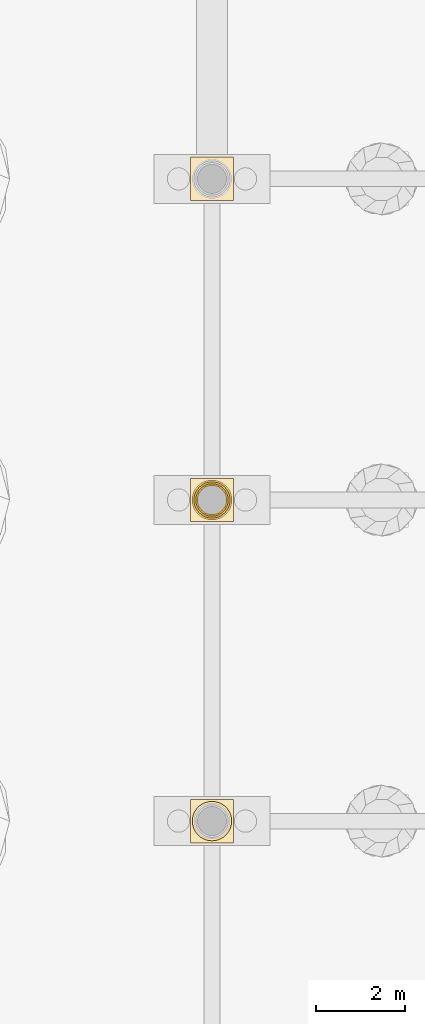
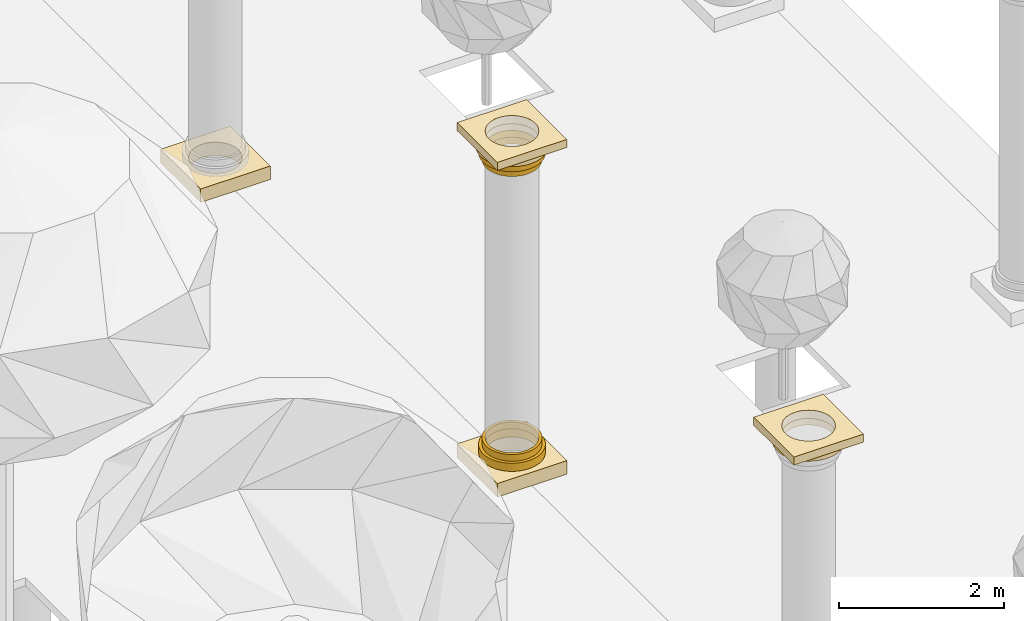
# One storey, part 65 of 80: 10 coverings.
"""IFC4 building model written with IfcOpenShell, lengths in metres."""

import ifcopenshell
import ifcopenshell.guid

model = None  # the IFC model being written
_history = None  # IfcOwnerHistory: only IFC2X3 demands one
_inside = {}  # id of a spatial element -> (the spatial element, [elements in it])
_under = {}  # id of a project, library or spatial element -> (it, [spatial elements below it])
_declared = {}  # id of a project -> (the project, [libraries it declares])
_typed = {}  # id of a type object -> (the type object, [elements of that type])
_made_of = {}  # id of a material, layer set ... -> (it, [elements and type objects made of it])


def new_model(schema):
    """Start an empty IFC model of exactly this schema.

    Asked for "IFC4X3", IfcOpenShell would pick the latest addendum, in which some entities
    have other attributes; the version numbers below select the first issue.
    IFC2X3 requires an IfcOwnerHistory on every rooted entity: one is made here for all.
    """
    global model, _history
    if schema == "IFC4X3":
        model = ifcopenshell.file(schema_version=(4, 3, 0, 0))
    else:
        model = ifcopenshell.file(schema=schema)
    _inside.clear()
    _under.clear()
    _declared.clear()
    _typed.clear()
    _made_of.clear()
    _history = None
    if model.schema == "IFC2X3":
        org = make("IfcOrganization", Name="unknown")
        user = make(
            "IfcPersonAndOrganization",
            ThePerson=make("IfcPerson", FamilyName="unknown"),
            TheOrganization=org,
        )
        app = make(
            "IfcApplication",
            ApplicationDeveloper=org,
            Version="unknown",
            ApplicationFullName="unknown",
            ApplicationIdentifier="unknown",
        )
        _history = make(
            "IfcOwnerHistory",
            OwningUser=user,
            OwningApplication=app,
            ChangeAction="ADDED",
            CreationDate=0,
        )
    return model


def make(cls, **values):
    """One entity of the class cls with the attributes given. An attribute that is None is left unset."""
    return model.create_entity(
        cls, **{name: value for name, value in values.items() if value is not None}
    )


def rooted(cls, **values):
    """An entity with a GlobalId (a new one), such as an element, a storey or a relation."""
    return make(cls, GlobalId=ifcopenshell.guid.new(), OwnerHistory=_history, **values)


def si_unit(unit_type, name, prefix=None):
    """IfcSIUnit, for example si_unit("LENGTHUNIT", "METRE", prefix="MILLI")."""
    return make("IfcSIUnit", UnitType=unit_type, Prefix=prefix, Name=name)


def assignment(units):
    """IfcUnitAssignment: the units of a project."""
    return None if units is None else make("IfcUnitAssignment", Units=units)


def point(xyz):
    """IfcCartesianPoint."""
    return None if xyz is None else make("IfcCartesianPoint", Coordinates=xyz)


def direction(xyz):
    """IfcDirection."""
    return None if xyz is None else make("IfcDirection", DirectionRatios=xyz)


def frame(location, z_axis=None, x_axis=None):
    """IfcAxis2Placement3D, a coordinate frame: its origin and axes. An axis left out is left unset."""
    return make(
        "IfcAxis2Placement3D",
        Location=point(location),
        Axis=direction(z_axis),
        RefDirection=direction(x_axis),
    )


def origin():
    """The frame at (0, 0, 0) with its axes left unset."""
    return frame((0.0, 0.0, 0.0))


def place(relative_to, where):
    """IfcLocalPlacement: puts the frame where relative to a parent placement (None: the world)."""
    return make(
        "IfcLocalPlacement", PlacementRelTo=relative_to, RelativePlacement=where
    )


def context(
    kind, dimensions, precision=None, world=None, true_north=None, identifier=None
):
    """IfcGeometricRepresentationContext, for example the 3D "Model" context."""
    return make(
        "IfcGeometricRepresentationContext",
        ContextIdentifier=identifier,
        ContextType=kind,
        CoordinateSpaceDimension=dimensions,
        Precision=precision,
        WorldCoordinateSystem=world,
        TrueNorth=true_north,
    )


def subcontext(parent, identifier, kind, view, scale=None):
    """IfcGeometricRepresentationSubContext, for example "Body" below "Model"."""
    return make(
        "IfcGeometricRepresentationSubContext",
        ContextIdentifier=identifier,
        ContextType=kind,
        ParentContext=parent,
        TargetScale=scale,
        TargetView=view,
    )


def project(units=None, contexts=None):
    """IfcProject with its units and contexts."""
    return rooted(
        "IfcProject",
        Name="project",
        RepresentationContexts=contexts,
        UnitsInContext=assignment(units),
    )


def spatial(cls, under=None, at=None, **own):
    """A site, building, storey or space (cls), placed at a placement, below another one or the project."""
    s = rooted(cls, ObjectPlacement=at, **own)
    if under is not None:
        _under.setdefault(under.id(), (under, []))[1].append(s)
    return s


def polyline(points):
    """IfcPolyline through the points."""
    return make("IfcPolyline", Points=[point(p) for p in points])


def outline(outer, holes=None, kind="AREA"):
    """IfcArbitraryClosedProfileDef: a profile drawn as a closed curve; with holes, ...WithVoids."""
    if holes is None:
        return make("IfcArbitraryClosedProfileDef", ProfileType=kind, OuterCurve=outer)
    return make(
        "IfcArbitraryProfileDefWithVoids",
        ProfileType=kind,
        OuterCurve=outer,
        InnerCurves=holes,
    )


def extrude(swept, where, along, depth):
    """IfcExtrudedAreaSolid: the profile swept, set in the frame where, extruded along a direction by depth."""
    return make(
        "IfcExtrudedAreaSolid",
        SweptArea=swept,
        Position=where,
        ExtrudedDirection=direction(along),
        Depth=depth,
    )


def shape(context_of_items, identifier, shape_type, items):
    """IfcShapeRepresentation: the items that make up one representation, for example the "Body"."""
    return make(
        "IfcShapeRepresentation",
        ContextOfItems=context_of_items,
        RepresentationIdentifier=identifier,
        RepresentationType=shape_type,
        Items=items,
    )


def material(Name=None, Category=None):
    """IfcMaterial."""
    return make("IfcMaterial", Name=Name, Category=Category)


def made_of(thing, what):
    """Note that an element or type object is made of a material, layer set ...; save() writes the relation."""
    if what is not None:
        _made_of.setdefault(what.id(), (what, []))[1].append(thing)
    return thing


def type_object(cls, material=None, **own):
    """A type object (cls), such as IfcWallType, which elements share."""
    return made_of(rooted(cls, **own), material)


def element(
    cls,
    number,
    at=None,
    inside=None,
    cuts=None,
    type_object=None,
    material=None,
    context=None,
    identifier="Body",
    shape_type=None,
    held_by="IfcProductDefinitionShape",
    body=None,
    shapes=None,
    **own,
):
    """One element of the class cls, such as IfcWall. Its Tag is "e" and its number.

    at: its placement. inside: the storey or other place that contains it. cuts: it is an
    opening in that element (IfcRelVoidsElement). A single representation is given by context,
    identifier, shape_type and body (its items); several are given by shapes. held_by: the class
    of the entity that holds the representations. save() writes the other relations.
    """
    e = rooted(cls, Tag="e%d" % number, ObjectPlacement=at, **own)
    if body is not None:
        shapes = [shape(context, identifier, shape_type, body)]
    if shapes is not None:
        e.Representation = make(held_by, Representations=shapes)
    if inside is not None:
        _inside.setdefault(inside.id(), (inside, []))[1].append(e)
    if cuts is not None:
        rooted(
            "IfcRelVoidsElement", RelatingBuildingElement=cuts, RelatedOpeningElement=e
        )
    if type_object is not None:
        _typed.setdefault(type_object.id(), (type_object, []))[1].append(e)
    return made_of(e, material)


def aggregate(whole, parts):
    """IfcRelAggregates: a whole, such as a stair, and the parts it consists of."""
    return rooted("IfcRelAggregates", RelatingObject=whole, RelatedObjects=parts)


def save(model, path):
    """Write the relations noted so far, then the file.

    IfcRelAggregates (storeys below a building ...), IfcRelContainedInSpatialStructure (elements
    in a storey), IfcRelDefinesByType, IfcRelAssociatesMaterial and IfcRelDeclares: one each for
    every whole, place, type object, material and project.
    """
    for whole, parts in _under.values():
        aggregate(whole, parts)
    for where, things in _inside.values():
        rooted(
            "IfcRelContainedInSpatialStructure",
            RelatedElements=things,
            RelatingStructure=where,
        )
    for kind, things in _typed.values():
        rooted("IfcRelDefinesByType", RelatedObjects=things, RelatingType=kind)
    for what, things in _made_of.values():
        rooted("IfcRelAssociatesMaterial", RelatedObjects=things, RelatingMaterial=what)
    for by, libraries in _declared.values():
        rooted("IfcRelDeclares", RelatingContext=by, RelatedDefinitions=libraries)
    model.write(path)


model = new_model("IFC4")

# Units and contexts
model_context = context("Model", 3, precision=1e-05, world=origin(), true_north=direction((0.0, 1.0)))
body_context = subcontext(model_context, "Body", "Model", "MODEL_VIEW")
ifc_project = project(units=[si_unit("LENGTHUNIT", "METRE"), si_unit("AREAUNIT", "SQUARE_METRE"), si_unit("VOLUMEUNIT", "CUBIC_METRE"), si_unit("PLANEANGLEUNIT", "RADIAN"), si_unit("MASSUNIT", "GRAM", prefix="KILO")], contexts=[model_context])

# Site, building, storey
site_placement = place(None, origin())
site = spatial("IfcSite", under=ifc_project, at=site_placement, CompositionType="ELEMENT")
building_placement = place(site_placement, origin())
building = spatial("IfcBuilding", under=site, at=building_placement, Name="Ussher Court Research Institute", CompositionType="ELEMENT")
storey_placement = place(building_placement, origin())
storey = spatial("IfcBuildingStorey", under=building, at=storey_placement, Name="L00", CompositionType="ELEMENT", Elevation=0.0)

# Coverings
ifc_material_1 = material(Name="Limestone cornice", Category="masonry")
covering_type_1 = type_object("IfcCoveringType", Name="Column abacus 650 975x120", PredefinedType="CLADDING", material=ifc_material_1)
covering_1_placement = place(storey_placement, frame((0.0, 0.0, 4.840087890625)))
element("IfcCovering", 1, at=covering_1_placement, inside=storey, type_object=covering_type_1, Name="Column capital CC26", PredefinedType="CLADDING", context=body_context, shape_type="SweptSolid", body=[
    extrude(outline(polyline([(97.08740234375, 46.71240234375), (97.08740234375, 47.6875), (96.112548828125, 47.6875), (96.112548828125, 46.71240234375), (97.08740234375, 46.71240234375)]), holes=[polyline([(96.92578125, 47.199951171875), (96.9228515625, 47.242431640625), (96.91455078125, 47.2841796875), (96.90087890625, 47.32470703125), (96.882080078125, 47.36279296875), (96.8583984375, 47.398193359375), (96.830322265625, 47.430419921875), (96.79833984375, 47.45849609375), (96.7626953125, 47.482177734375), (96.724609375, 47.5009765625), (96.684326171875, 47.5146484375), (96.642578125, 47.52294921875), (96.60009765625, 47.525634765625), (96.5576171875, 47.52294921875), (96.515625, 47.5146484375), (96.475341796875, 47.5009765625), (96.437255859375, 47.482177734375), (96.401611328125, 47.45849609375), (96.36962890625, 47.430419921875), (96.341552734375, 47.398193359375), (96.31787109375, 47.36279296875), (96.299072265625, 47.32470703125), (96.285400390625, 47.2841796875), (96.277099609375, 47.242431640625), (96.2744140625, 47.199951171875), (96.277099609375, 47.157470703125), (96.285400390625, 47.11572265625), (96.299072265625, 47.075439453125), (96.31787109375, 47.037109375), (96.341552734375, 47.001708984375), (96.36962890625, 46.9697265625), (96.401611328125, 46.941650390625), (96.437255859375, 46.91796875), (96.475341796875, 46.899169921875), (96.515625, 46.885498046875), (96.5576171875, 46.877197265625), (96.60009765625, 46.874267578125), (96.642578125, 46.877197265625), (96.684326171875, 46.885498046875), (96.724609375, 46.899169921875), (96.7626953125, 46.91796875), (96.79833984375, 46.941650390625), (96.830322265625, 46.9697265625), (96.8583984375, 47.001708984375), (96.882080078125, 47.037109375), (96.90087890625, 47.075439453125), (96.91455078125, 47.11572265625), (96.9228515625, 47.157470703125), (96.92578125, 47.199951171875)])]), origin(), (0.0, 0.0, 1.0), 0.119873046875),
])
covering_2_placement = place(storey_placement, frame((0.0, 0.0, 4.840087890625)))
element("IfcCovering", 2, at=covering_2_placement, inside=storey, type_object=covering_type_1, Name="Column capital CC26", PredefinedType="CLADDING", context=body_context, shape_type="SweptSolid", body=[
    extrude(outline(polyline([(97.08740234375, 53.91259765625), (97.08740234375, 54.887451171875), (96.112548828125, 54.887451171875), (96.112548828125, 53.91259765625), (97.08740234375, 53.91259765625)]), holes=[polyline([(96.92578125, 54.39990234375), (96.9228515625, 54.4423828125), (96.91455078125, 54.484375), (96.90087890625, 54.524658203125), (96.882080078125, 54.562744140625), (96.8583984375, 54.598388671875), (96.830322265625, 54.63037109375), (96.79833984375, 54.658447265625), (96.7626953125, 54.68212890625), (96.724609375, 54.700927734375), (96.684326171875, 54.714599609375), (96.642578125, 54.722900390625), (96.60009765625, 54.7255859375), (96.5576171875, 54.722900390625), (96.515625, 54.714599609375), (96.475341796875, 54.700927734375), (96.437255859375, 54.68212890625), (96.401611328125, 54.658447265625), (96.36962890625, 54.63037109375), (96.341552734375, 54.598388671875), (96.31787109375, 54.562744140625), (96.299072265625, 54.524658203125), (96.285400390625, 54.484375), (96.277099609375, 54.4423828125), (96.2744140625, 54.39990234375), (96.277099609375, 54.357421875), (96.285400390625, 54.315673828125), (96.299072265625, 54.275390625), (96.31787109375, 54.2373046875), (96.341552734375, 54.20166015625), (96.36962890625, 54.169677734375), (96.401611328125, 54.1416015625), (96.437255859375, 54.117919921875), (96.475341796875, 54.09912109375), (96.515625, 54.08544921875), (96.5576171875, 54.0771484375), (96.60009765625, 54.07421875), (96.642578125, 54.0771484375), (96.684326171875, 54.08544921875), (96.724609375, 54.09912109375), (96.7626953125, 54.117919921875), (96.79833984375, 54.1416015625), (96.830322265625, 54.169677734375), (96.8583984375, 54.20166015625), (96.882080078125, 54.2373046875), (96.90087890625, 54.275390625), (96.91455078125, 54.315673828125), (96.9228515625, 54.357421875), (96.92578125, 54.39990234375)])]), origin(), (0.0, 0.0, 1.0), 0.119873046875),
])
ifc_material_2 = material(Name="Limestone cornice", Category="masonry")
covering_type_2 = type_object("IfcCoveringType", Name="Column base fillet 650 728x100", PredefinedType="CLADDING", material=ifc_material_2)
covering_3_placement = place(storey_placement, frame((0.0, 0.0, 0.320068359375)))
element("IfcCovering", 3, at=covering_3_placement, inside=storey, type_object=covering_type_2, Name="Column base CC22", PredefinedType="CLADDING", context=body_context, shape_type="SweptSolid", body=[
    extrude(outline(polyline([(96.964111328125, 54.39990234375), (96.9609375, 54.447509765625), (96.95166015625, 54.494140625), (96.936279296875, 54.539306640625), (96.915283203125, 54.58203125), (96.888916015625, 54.62158203125), (96.857421875, 54.657470703125), (96.821533203125, 54.688720703125), (96.781982421875, 54.715087890625), (96.7392578125, 54.736328125), (96.694091796875, 54.751708984375), (96.6474609375, 54.760986328125), (96.60009765625, 54.763916015625), (96.552490234375, 54.760986328125), (96.505859375, 54.751708984375), (96.460693359375, 54.736328125), (96.41796875, 54.715087890625), (96.37841796875, 54.688720703125), (96.342529296875, 54.657470703125), (96.311279296875, 54.62158203125), (96.284912109375, 54.58203125), (96.263671875, 54.539306640625), (96.248291015625, 54.494140625), (96.239013671875, 54.447509765625), (96.236083984375, 54.39990234375), (96.239013671875, 54.3525390625), (96.248291015625, 54.305908203125), (96.263671875, 54.2607421875), (96.284912109375, 54.218017578125), (96.311279296875, 54.178466796875), (96.342529296875, 54.142578125), (96.37841796875, 54.111083984375), (96.41796875, 54.084716796875), (96.460693359375, 54.063720703125), (96.505859375, 54.04833984375), (96.552490234375, 54.0390625), (96.60009765625, 54.035888671875), (96.6474609375, 54.0390625), (96.694091796875, 54.04833984375), (96.7392578125, 54.063720703125), (96.781982421875, 54.084716796875), (96.821533203125, 54.111083984375), (96.857421875, 54.142578125), (96.888916015625, 54.178466796875), (96.915283203125, 54.218017578125), (96.936279296875, 54.2607421875), (96.95166015625, 54.305908203125), (96.9609375, 54.3525390625), (96.964111328125, 54.39990234375)]), holes=[polyline([(96.92578125, 54.39990234375), (96.9228515625, 54.4423828125), (96.91455078125, 54.484375), (96.90087890625, 54.524658203125), (96.882080078125, 54.562744140625), (96.8583984375, 54.598388671875), (96.830322265625, 54.63037109375), (96.79833984375, 54.658447265625), (96.7626953125, 54.68212890625), (96.724609375, 54.700927734375), (96.684326171875, 54.714599609375), (96.642578125, 54.722900390625), (96.60009765625, 54.7255859375), (96.5576171875, 54.722900390625), (96.515625, 54.714599609375), (96.475341796875, 54.700927734375), (96.437255859375, 54.68212890625), (96.401611328125, 54.658447265625), (96.36962890625, 54.63037109375), (96.341552734375, 54.598388671875), (96.31787109375, 54.562744140625), (96.299072265625, 54.524658203125), (96.285400390625, 54.484375), (96.277099609375, 54.4423828125), (96.2744140625, 54.39990234375), (96.277099609375, 54.357421875), (96.285400390625, 54.315673828125), (96.299072265625, 54.275390625), (96.31787109375, 54.2373046875), (96.341552734375, 54.20166015625), (96.36962890625, 54.169677734375), (96.401611328125, 54.1416015625), (96.437255859375, 54.117919921875), (96.475341796875, 54.09912109375), (96.515625, 54.08544921875), (96.5576171875, 54.0771484375), (96.60009765625, 54.07421875), (96.642578125, 54.0771484375), (96.684326171875, 54.08544921875), (96.724609375, 54.09912109375), (96.7626953125, 54.117919921875), (96.79833984375, 54.1416015625), (96.830322265625, 54.169677734375), (96.8583984375, 54.20166015625), (96.882080078125, 54.2373046875), (96.90087890625, 54.275390625), (96.91455078125, 54.315673828125), (96.9228515625, 54.357421875), (96.92578125, 54.39990234375)])]), origin(), (0.0, 0.0, 1.0), 0.099853515625),
])
ifc_material_3 = material(Name="Limestone cornice", Category="masonry")
covering_type_3 = type_object("IfcCoveringType", Name="Column base torus 650 812x120", PredefinedType="CLADDING", material=ifc_material_3)
covering_4_placement = place(storey_placement, frame((0.0, 0.0, 0.199951171875)))
element("IfcCovering", 4, at=covering_4_placement, inside=storey, type_object=covering_type_3, Name="Column base CC21", PredefinedType="CLADDING", context=body_context, shape_type="SweptSolid", body=[
    extrude(outline(polyline([(97.006103515625, 54.39990234375), (97.002685546875, 54.452880859375), (96.992431640625, 54.505126953125), (96.975341796875, 54.555419921875), (96.951904296875, 54.60302734375), (96.92236328125, 54.647216796875), (96.88720703125, 54.687255859375), (96.847412109375, 54.722412109375), (96.802978515625, 54.751708984375), (96.75537109375, 54.775390625), (96.705078125, 54.79248046875), (96.653076171875, 54.802734375), (96.60009765625, 54.80615234375), (96.547119140625, 54.802734375), (96.494873046875, 54.79248046875), (96.444580078125, 54.775390625), (96.39697265625, 54.751708984375), (96.352783203125, 54.722412109375), (96.312744140625, 54.687255859375), (96.277587890625, 54.647216796875), (96.248291015625, 54.60302734375), (96.224609375, 54.555419921875), (96.20751953125, 54.505126953125), (96.197265625, 54.452880859375), (96.19384765625, 54.39990234375), (96.197265625, 54.346923828125), (96.20751953125, 54.294921875), (96.224609375, 54.24462890625), (96.248291015625, 54.197021484375), (96.277587890625, 54.152587890625), (96.312744140625, 54.11279296875), (96.352783203125, 54.07763671875), (96.39697265625, 54.048095703125), (96.444580078125, 54.024658203125), (96.494873046875, 54.007568359375), (96.547119140625, 53.997314453125), (96.60009765625, 53.993896484375), (96.653076171875, 53.997314453125), (96.705078125, 54.007568359375), (96.75537109375, 54.024658203125), (96.802978515625, 54.048095703125), (96.847412109375, 54.07763671875), (96.88720703125, 54.11279296875), (96.92236328125, 54.152587890625), (96.951904296875, 54.197021484375), (96.975341796875, 54.24462890625), (96.992431640625, 54.294921875), (97.002685546875, 54.346923828125), (97.006103515625, 54.39990234375)]), holes=[polyline([(96.92578125, 54.39990234375), (96.9228515625, 54.4423828125), (96.91455078125, 54.484375), (96.90087890625, 54.524658203125), (96.882080078125, 54.562744140625), (96.8583984375, 54.598388671875), (96.830322265625, 54.63037109375), (96.79833984375, 54.658447265625), (96.7626953125, 54.68212890625), (96.724609375, 54.700927734375), (96.684326171875, 54.714599609375), (96.642578125, 54.722900390625), (96.60009765625, 54.7255859375), (96.5576171875, 54.722900390625), (96.515625, 54.714599609375), (96.475341796875, 54.700927734375), (96.437255859375, 54.68212890625), (96.401611328125, 54.658447265625), (96.36962890625, 54.63037109375), (96.341552734375, 54.598388671875), (96.31787109375, 54.562744140625), (96.299072265625, 54.524658203125), (96.285400390625, 54.484375), (96.277099609375, 54.4423828125), (96.2744140625, 54.39990234375), (96.277099609375, 54.357421875), (96.285400390625, 54.315673828125), (96.299072265625, 54.275390625), (96.31787109375, 54.2373046875), (96.341552734375, 54.20166015625), (96.36962890625, 54.169677734375), (96.401611328125, 54.1416015625), (96.437255859375, 54.117919921875), (96.475341796875, 54.09912109375), (96.515625, 54.08544921875), (96.5576171875, 54.0771484375), (96.60009765625, 54.07421875), (96.642578125, 54.0771484375), (96.684326171875, 54.08544921875), (96.724609375, 54.09912109375), (96.7626953125, 54.117919921875), (96.79833984375, 54.1416015625), (96.830322265625, 54.169677734375), (96.8583984375, 54.20166015625), (96.882080078125, 54.2373046875), (96.90087890625, 54.275390625), (96.91455078125, 54.315673828125), (96.9228515625, 54.357421875), (96.92578125, 54.39990234375)])]), origin(), (0.0, 0.0, 1.0), 0.1201171875),
])
ifc_material_4 = material(Name="Limestone cornice", Category="masonry")
covering_type_4 = type_object("IfcCoveringType", Name="Column capital echinus 650 812x100", PredefinedType="CLADDING", material=ifc_material_4)
covering_5_placement = place(storey_placement, frame((0.0, 0.0, 4.639892578125)))
element("IfcCovering", 5, at=covering_5_placement, inside=storey, type_object=covering_type_4, Name="Column capital CC24", PredefinedType="CLADDING", context=body_context, shape_type="SweptSolid", body=[
    extrude(outline(polyline([(97.006103515625, 54.39990234375), (97.002685546875, 54.452880859375), (96.992431640625, 54.505126953125), (96.975341796875, 54.555419921875), (96.951904296875, 54.60302734375), (96.92236328125, 54.647216796875), (96.88720703125, 54.687255859375), (96.847412109375, 54.722412109375), (96.802978515625, 54.751708984375), (96.75537109375, 54.775390625), (96.705078125, 54.79248046875), (96.653076171875, 54.802734375), (96.60009765625, 54.80615234375), (96.547119140625, 54.802734375), (96.494873046875, 54.79248046875), (96.444580078125, 54.775390625), (96.39697265625, 54.751708984375), (96.352783203125, 54.722412109375), (96.312744140625, 54.687255859375), (96.277587890625, 54.647216796875), (96.248291015625, 54.60302734375), (96.224609375, 54.555419921875), (96.20751953125, 54.505126953125), (96.197265625, 54.452880859375), (96.19384765625, 54.39990234375), (96.197265625, 54.346923828125), (96.20751953125, 54.294921875), (96.224609375, 54.24462890625), (96.248291015625, 54.197021484375), (96.277587890625, 54.152587890625), (96.312744140625, 54.11279296875), (96.352783203125, 54.07763671875), (96.39697265625, 54.048095703125), (96.444580078125, 54.024658203125), (96.494873046875, 54.007568359375), (96.547119140625, 53.997314453125), (96.60009765625, 53.993896484375), (96.653076171875, 53.997314453125), (96.705078125, 54.007568359375), (96.75537109375, 54.024658203125), (96.802978515625, 54.048095703125), (96.847412109375, 54.07763671875), (96.88720703125, 54.11279296875), (96.92236328125, 54.152587890625), (96.951904296875, 54.197021484375), (96.975341796875, 54.24462890625), (96.992431640625, 54.294921875), (97.002685546875, 54.346923828125), (97.006103515625, 54.39990234375)]), holes=[polyline([(96.92578125, 54.39990234375), (96.9228515625, 54.4423828125), (96.91455078125, 54.484375), (96.90087890625, 54.524658203125), (96.882080078125, 54.562744140625), (96.8583984375, 54.598388671875), (96.830322265625, 54.63037109375), (96.79833984375, 54.658447265625), (96.7626953125, 54.68212890625), (96.724609375, 54.700927734375), (96.684326171875, 54.714599609375), (96.642578125, 54.722900390625), (96.60009765625, 54.7255859375), (96.5576171875, 54.722900390625), (96.515625, 54.714599609375), (96.475341796875, 54.700927734375), (96.437255859375, 54.68212890625), (96.401611328125, 54.658447265625), (96.36962890625, 54.63037109375), (96.341552734375, 54.598388671875), (96.31787109375, 54.562744140625), (96.299072265625, 54.524658203125), (96.285400390625, 54.484375), (96.277099609375, 54.4423828125), (96.2744140625, 54.39990234375), (96.277099609375, 54.357421875), (96.285400390625, 54.315673828125), (96.299072265625, 54.275390625), (96.31787109375, 54.2373046875), (96.341552734375, 54.20166015625), (96.36962890625, 54.169677734375), (96.401611328125, 54.1416015625), (96.437255859375, 54.117919921875), (96.475341796875, 54.09912109375), (96.515625, 54.08544921875), (96.5576171875, 54.0771484375), (96.60009765625, 54.07421875), (96.642578125, 54.0771484375), (96.684326171875, 54.08544921875), (96.724609375, 54.09912109375), (96.7626953125, 54.117919921875), (96.79833984375, 54.1416015625), (96.830322265625, 54.169677734375), (96.8583984375, 54.20166015625), (96.882080078125, 54.2373046875), (96.90087890625, 54.275390625), (96.91455078125, 54.315673828125), (96.9228515625, 54.357421875), (96.92578125, 54.39990234375)])]), origin(), (0.0, 0.0, 1.0), 0.10009765625),
])
ifc_material_5 = material(Name="Limestone cornice", Category="masonry")
covering_type_5 = type_object("IfcCoveringType", Name="Column capital neck 650 728x100", PredefinedType="CLADDING", material=ifc_material_5)
covering_6_placement = place(storey_placement, frame((0.0, 0.0, 4.5400390625)))
element("IfcCovering", 6, at=covering_6_placement, inside=storey, type_object=covering_type_5, Name="Column capital CC23", PredefinedType="CLADDING", context=body_context, shape_type="SweptSolid", body=[
    extrude(outline(polyline([(96.964111328125, 54.39990234375), (96.9609375, 54.447509765625), (96.95166015625, 54.494140625), (96.936279296875, 54.539306640625), (96.915283203125, 54.58203125), (96.888916015625, 54.62158203125), (96.857421875, 54.657470703125), (96.821533203125, 54.688720703125), (96.781982421875, 54.715087890625), (96.7392578125, 54.736328125), (96.694091796875, 54.751708984375), (96.6474609375, 54.760986328125), (96.60009765625, 54.763916015625), (96.552490234375, 54.760986328125), (96.505859375, 54.751708984375), (96.460693359375, 54.736328125), (96.41796875, 54.715087890625), (96.37841796875, 54.688720703125), (96.342529296875, 54.657470703125), (96.311279296875, 54.62158203125), (96.284912109375, 54.58203125), (96.263671875, 54.539306640625), (96.248291015625, 54.494140625), (96.239013671875, 54.447509765625), (96.236083984375, 54.39990234375), (96.239013671875, 54.3525390625), (96.248291015625, 54.305908203125), (96.263671875, 54.2607421875), (96.284912109375, 54.218017578125), (96.311279296875, 54.178466796875), (96.342529296875, 54.142578125), (96.37841796875, 54.111083984375), (96.41796875, 54.084716796875), (96.460693359375, 54.063720703125), (96.505859375, 54.04833984375), (96.552490234375, 54.0390625), (96.60009765625, 54.035888671875), (96.6474609375, 54.0390625), (96.694091796875, 54.04833984375), (96.7392578125, 54.063720703125), (96.781982421875, 54.084716796875), (96.821533203125, 54.111083984375), (96.857421875, 54.142578125), (96.888916015625, 54.178466796875), (96.915283203125, 54.218017578125), (96.936279296875, 54.2607421875), (96.95166015625, 54.305908203125), (96.9609375, 54.3525390625), (96.964111328125, 54.39990234375)]), holes=[polyline([(96.92578125, 54.39990234375), (96.9228515625, 54.4423828125), (96.91455078125, 54.484375), (96.90087890625, 54.524658203125), (96.882080078125, 54.562744140625), (96.8583984375, 54.598388671875), (96.830322265625, 54.63037109375), (96.79833984375, 54.658447265625), (96.7626953125, 54.68212890625), (96.724609375, 54.700927734375), (96.684326171875, 54.714599609375), (96.642578125, 54.722900390625), (96.60009765625, 54.7255859375), (96.5576171875, 54.722900390625), (96.515625, 54.714599609375), (96.475341796875, 54.700927734375), (96.437255859375, 54.68212890625), (96.401611328125, 54.658447265625), (96.36962890625, 54.63037109375), (96.341552734375, 54.598388671875), (96.31787109375, 54.562744140625), (96.299072265625, 54.524658203125), (96.285400390625, 54.484375), (96.277099609375, 54.4423828125), (96.2744140625, 54.39990234375), (96.277099609375, 54.357421875), (96.285400390625, 54.315673828125), (96.299072265625, 54.275390625), (96.31787109375, 54.2373046875), (96.341552734375, 54.20166015625), (96.36962890625, 54.169677734375), (96.401611328125, 54.1416015625), (96.437255859375, 54.117919921875), (96.475341796875, 54.09912109375), (96.515625, 54.08544921875), (96.5576171875, 54.0771484375), (96.60009765625, 54.07421875), (96.642578125, 54.0771484375), (96.684326171875, 54.08544921875), (96.724609375, 54.09912109375), (96.7626953125, 54.117919921875), (96.79833984375, 54.1416015625), (96.830322265625, 54.169677734375), (96.8583984375, 54.20166015625), (96.882080078125, 54.2373046875), (96.90087890625, 54.275390625), (96.91455078125, 54.315673828125), (96.9228515625, 54.357421875), (96.92578125, 54.39990234375)])]), origin(), (0.0, 0.0, 1.0), 0.099853515625),
])
ifc_material_6 = material(Name="Limestone cornice", Category="masonry")
covering_type_6 = type_object("IfcCoveringType", Name="Column capital ovolo 650 884x100", PredefinedType="CLADDING", material=ifc_material_6)
covering_7_placement = place(storey_placement, frame((0.0, 0.0, 4.739990234375)))
element("IfcCovering", 7, at=covering_7_placement, inside=storey, type_object=covering_type_6, Name="Column capital CC25", PredefinedType="CLADDING", context=body_context, shape_type="SweptSolid", body=[
    extrude(outline(polyline([(97.0419921875, 47.199951171875), (97.0380859375, 47.2578125), (97.02685546875, 47.314453125), (97.00830078125, 47.369140625), (96.98291015625, 47.4208984375), (96.95068359375, 47.468994140625), (96.91259765625, 47.512451171875), (96.869140625, 47.55078125), (96.821044921875, 47.582763671875), (96.76904296875, 47.6083984375), (96.71435546875, 47.626953125), (96.65771484375, 47.63818359375), (96.60009765625, 47.64208984375), (96.542236328125, 47.63818359375), (96.485595703125, 47.626953125), (96.430908203125, 47.6083984375), (96.37890625, 47.582763671875), (96.330810546875, 47.55078125), (96.28759765625, 47.512451171875), (96.249267578125, 47.468994140625), (96.21728515625, 47.4208984375), (96.191650390625, 47.369140625), (96.173095703125, 47.314453125), (96.161865234375, 47.2578125), (96.157958984375, 47.199951171875), (96.161865234375, 47.142333984375), (96.173095703125, 47.085693359375), (96.191650390625, 47.031005859375), (96.21728515625, 46.97900390625), (96.249267578125, 46.930908203125), (96.28759765625, 46.887451171875), (96.330810546875, 46.849365234375), (96.37890625, 46.817138671875), (96.430908203125, 46.79150390625), (96.485595703125, 46.773193359375), (96.542236328125, 46.76171875), (96.60009765625, 46.758056640625), (96.65771484375, 46.76171875), (96.71435546875, 46.773193359375), (96.76904296875, 46.79150390625), (96.821044921875, 46.817138671875), (96.869140625, 46.849365234375), (96.91259765625, 46.887451171875), (96.95068359375, 46.930908203125), (96.98291015625, 46.97900390625), (97.00830078125, 47.031005859375), (97.02685546875, 47.085693359375), (97.0380859375, 47.142333984375), (97.0419921875, 47.199951171875)]), holes=[polyline([(96.92578125, 47.199951171875), (96.9228515625, 47.242431640625), (96.91455078125, 47.2841796875), (96.90087890625, 47.32470703125), (96.882080078125, 47.36279296875), (96.8583984375, 47.398193359375), (96.830322265625, 47.430419921875), (96.79833984375, 47.45849609375), (96.7626953125, 47.482177734375), (96.724609375, 47.5009765625), (96.684326171875, 47.5146484375), (96.642578125, 47.52294921875), (96.60009765625, 47.525634765625), (96.5576171875, 47.52294921875), (96.515625, 47.5146484375), (96.475341796875, 47.5009765625), (96.437255859375, 47.482177734375), (96.401611328125, 47.45849609375), (96.36962890625, 47.430419921875), (96.341552734375, 47.398193359375), (96.31787109375, 47.36279296875), (96.299072265625, 47.32470703125), (96.285400390625, 47.2841796875), (96.277099609375, 47.242431640625), (96.2744140625, 47.199951171875), (96.277099609375, 47.157470703125), (96.285400390625, 47.11572265625), (96.299072265625, 47.075439453125), (96.31787109375, 47.037109375), (96.341552734375, 47.001708984375), (96.36962890625, 46.9697265625), (96.401611328125, 46.941650390625), (96.437255859375, 46.91796875), (96.475341796875, 46.899169921875), (96.515625, 46.885498046875), (96.5576171875, 46.877197265625), (96.60009765625, 46.874267578125), (96.642578125, 46.877197265625), (96.684326171875, 46.885498046875), (96.724609375, 46.899169921875), (96.7626953125, 46.91796875), (96.79833984375, 46.941650390625), (96.830322265625, 46.9697265625), (96.8583984375, 47.001708984375), (96.882080078125, 47.037109375), (96.90087890625, 47.075439453125), (96.91455078125, 47.11572265625), (96.9228515625, 47.157470703125), (96.92578125, 47.199951171875)])]), origin(), (0.0, 0.0, 1.0), 0.10009765625),
])
covering_8_placement = place(storey_placement, frame((0.0, 0.0, 4.739990234375)))
element("IfcCovering", 8, at=covering_8_placement, inside=storey, type_object=covering_type_6, Name="Column capital CC25", PredefinedType="CLADDING", context=body_context, shape_type="SweptSolid", body=[
    extrude(outline(polyline([(97.0419921875, 54.39990234375), (97.0380859375, 54.457763671875), (97.02685546875, 54.514404296875), (97.00830078125, 54.569091796875), (96.98291015625, 54.62109375), (96.95068359375, 54.669189453125), (96.91259765625, 54.71240234375), (96.869140625, 54.750732421875), (96.821044921875, 54.78271484375), (96.76904296875, 54.808349609375), (96.71435546875, 54.826904296875), (96.65771484375, 54.838134765625), (96.60009765625, 54.842041015625), (96.542236328125, 54.838134765625), (96.485595703125, 54.826904296875), (96.430908203125, 54.808349609375), (96.37890625, 54.78271484375), (96.330810546875, 54.750732421875), (96.28759765625, 54.71240234375), (96.249267578125, 54.669189453125), (96.21728515625, 54.62109375), (96.191650390625, 54.569091796875), (96.173095703125, 54.514404296875), (96.161865234375, 54.457763671875), (96.157958984375, 54.39990234375), (96.161865234375, 54.34228515625), (96.173095703125, 54.28564453125), (96.191650390625, 54.23095703125), (96.21728515625, 54.178955078125), (96.249267578125, 54.130859375), (96.28759765625, 54.08740234375), (96.330810546875, 54.04931640625), (96.37890625, 54.01708984375), (96.430908203125, 53.99169921875), (96.485595703125, 53.97314453125), (96.542236328125, 53.9619140625), (96.60009765625, 53.9580078125), (96.65771484375, 53.9619140625), (96.71435546875, 53.97314453125), (96.76904296875, 53.99169921875), (96.821044921875, 54.01708984375), (96.869140625, 54.04931640625), (96.91259765625, 54.08740234375), (96.95068359375, 54.130859375), (96.98291015625, 54.178955078125), (97.00830078125, 54.23095703125), (97.02685546875, 54.28564453125), (97.0380859375, 54.34228515625), (97.0419921875, 54.39990234375)]), holes=[polyline([(96.92578125, 54.39990234375), (96.9228515625, 54.4423828125), (96.91455078125, 54.484375), (96.90087890625, 54.524658203125), (96.882080078125, 54.562744140625), (96.8583984375, 54.598388671875), (96.830322265625, 54.63037109375), (96.79833984375, 54.658447265625), (96.7626953125, 54.68212890625), (96.724609375, 54.700927734375), (96.684326171875, 54.714599609375), (96.642578125, 54.722900390625), (96.60009765625, 54.7255859375), (96.5576171875, 54.722900390625), (96.515625, 54.714599609375), (96.475341796875, 54.700927734375), (96.437255859375, 54.68212890625), (96.401611328125, 54.658447265625), (96.36962890625, 54.63037109375), (96.341552734375, 54.598388671875), (96.31787109375, 54.562744140625), (96.299072265625, 54.524658203125), (96.285400390625, 54.484375), (96.277099609375, 54.4423828125), (96.2744140625, 54.39990234375), (96.277099609375, 54.357421875), (96.285400390625, 54.315673828125), (96.299072265625, 54.275390625), (96.31787109375, 54.2373046875), (96.341552734375, 54.20166015625), (96.36962890625, 54.169677734375), (96.401611328125, 54.1416015625), (96.437255859375, 54.117919921875), (96.475341796875, 54.09912109375), (96.515625, 54.08544921875), (96.5576171875, 54.0771484375), (96.60009765625, 54.07421875), (96.642578125, 54.0771484375), (96.684326171875, 54.08544921875), (96.724609375, 54.09912109375), (96.7626953125, 54.117919921875), (96.79833984375, 54.1416015625), (96.830322265625, 54.169677734375), (96.8583984375, 54.20166015625), (96.882080078125, 54.2373046875), (96.90087890625, 54.275390625), (96.91455078125, 54.315673828125), (96.9228515625, 54.357421875), (96.92578125, 54.39990234375)])]), origin(), (0.0, 0.0, 1.0), 0.10009765625),
])
ifc_material_7 = material(Name="Limestone cornice", Category="masonry")
covering_type_7 = type_object("IfcCoveringType", Name="Column plinth 650 975x200", PredefinedType="CLADDING", material=ifc_material_7)
covering_9_placement = place(storey_placement, origin())
element("IfcCovering", 9, at=covering_9_placement, inside=storey, type_object=covering_type_7, Name="Column base CC20", PredefinedType="CLADDING", context=body_context, shape_type="SweptSolid", body=[
    extrude(outline(polyline([(97.08740234375, 53.91259765625), (97.08740234375, 54.887451171875), (96.112548828125, 54.887451171875), (96.112548828125, 53.91259765625), (97.08740234375, 53.91259765625)]), holes=[polyline([(96.92578125, 54.39990234375), (96.9228515625, 54.4423828125), (96.91455078125, 54.484375), (96.90087890625, 54.524658203125), (96.882080078125, 54.562744140625), (96.8583984375, 54.598388671875), (96.830322265625, 54.63037109375), (96.79833984375, 54.658447265625), (96.7626953125, 54.68212890625), (96.724609375, 54.700927734375), (96.684326171875, 54.714599609375), (96.642578125, 54.722900390625), (96.60009765625, 54.7255859375), (96.5576171875, 54.722900390625), (96.515625, 54.714599609375), (96.475341796875, 54.700927734375), (96.437255859375, 54.68212890625), (96.401611328125, 54.658447265625), (96.36962890625, 54.63037109375), (96.341552734375, 54.598388671875), (96.31787109375, 54.562744140625), (96.299072265625, 54.524658203125), (96.285400390625, 54.484375), (96.277099609375, 54.4423828125), (96.2744140625, 54.39990234375), (96.277099609375, 54.357421875), (96.285400390625, 54.315673828125), (96.299072265625, 54.275390625), (96.31787109375, 54.2373046875), (96.341552734375, 54.20166015625), (96.36962890625, 54.169677734375), (96.401611328125, 54.1416015625), (96.437255859375, 54.117919921875), (96.475341796875, 54.09912109375), (96.515625, 54.08544921875), (96.5576171875, 54.0771484375), (96.60009765625, 54.07421875), (96.642578125, 54.0771484375), (96.684326171875, 54.08544921875), (96.724609375, 54.09912109375), (96.7626953125, 54.117919921875), (96.79833984375, 54.1416015625), (96.830322265625, 54.169677734375), (96.8583984375, 54.20166015625), (96.882080078125, 54.2373046875), (96.90087890625, 54.275390625), (96.91455078125, 54.315673828125), (96.9228515625, 54.357421875), (96.92578125, 54.39990234375)])]), origin(), (0.0, 0.0, 1.0), 0.199951171875),
])
covering_10_placement = place(storey_placement, origin())
element("IfcCovering", 10, at=covering_10_placement, inside=storey, type_object=covering_type_7, Name="Column base CC20", PredefinedType="CLADDING", context=body_context, shape_type="SweptSolid", body=[
    extrude(outline(polyline([(97.08740234375, 61.112548828125), (97.08740234375, 62.08740234375), (96.112548828125, 62.08740234375), (96.112548828125, 61.112548828125), (97.08740234375, 61.112548828125)]), holes=[polyline([(96.92578125, 61.60009765625), (96.9228515625, 61.642578125), (96.91455078125, 61.684326171875), (96.90087890625, 61.724609375), (96.882080078125, 61.7626953125), (96.8583984375, 61.79833984375), (96.830322265625, 61.830322265625), (96.79833984375, 61.8583984375), (96.7626953125, 61.882080078125), (96.724609375, 61.90087890625), (96.684326171875, 61.91455078125), (96.642578125, 61.9228515625), (96.60009765625, 61.92578125), (96.5576171875, 61.9228515625), (96.515625, 61.91455078125), (96.475341796875, 61.90087890625), (96.437255859375, 61.882080078125), (96.401611328125, 61.8583984375), (96.36962890625, 61.830322265625), (96.341552734375, 61.79833984375), (96.31787109375, 61.7626953125), (96.299072265625, 61.724609375), (96.285400390625, 61.684326171875), (96.277099609375, 61.642578125), (96.2744140625, 61.60009765625), (96.277099609375, 61.5576171875), (96.285400390625, 61.515625), (96.299072265625, 61.475341796875), (96.31787109375, 61.437255859375), (96.341552734375, 61.401611328125), (96.36962890625, 61.36962890625), (96.401611328125, 61.341552734375), (96.437255859375, 61.31787109375), (96.475341796875, 61.299072265625), (96.515625, 61.285400390625), (96.5576171875, 61.277099609375), (96.60009765625, 61.2744140625), (96.642578125, 61.277099609375), (96.684326171875, 61.285400390625), (96.724609375, 61.299072265625), (96.7626953125, 61.31787109375), (96.79833984375, 61.341552734375), (96.830322265625, 61.36962890625), (96.8583984375, 61.401611328125), (96.882080078125, 61.437255859375), (96.90087890625, 61.475341796875), (96.91455078125, 61.515625), (96.9228515625, 61.5576171875), (96.92578125, 61.60009765625)])]), origin(), (0.0, 0.0, 1.0), 0.199951171875),
])

save(model, "model.ifc")
